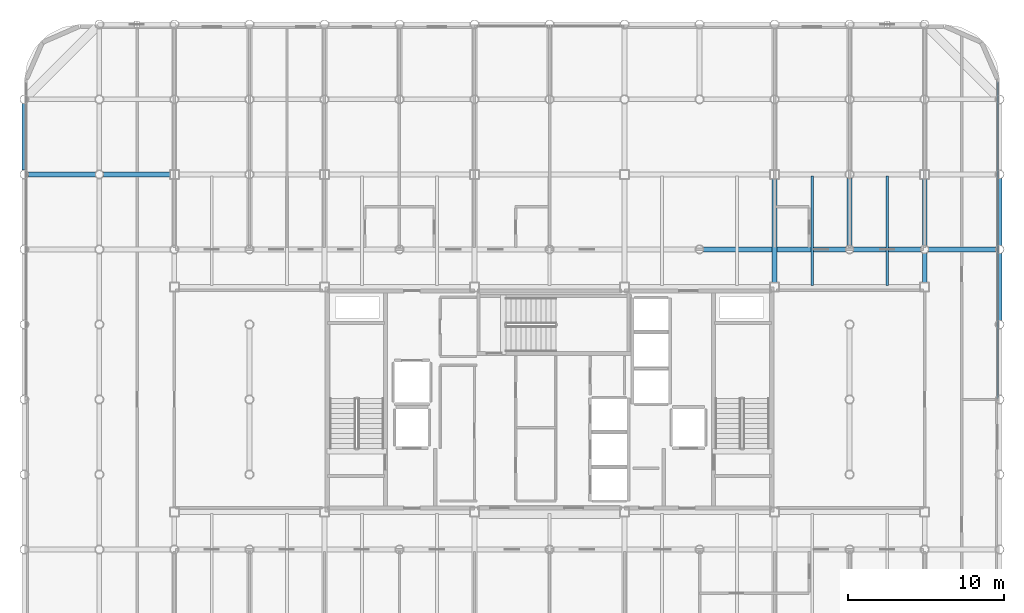
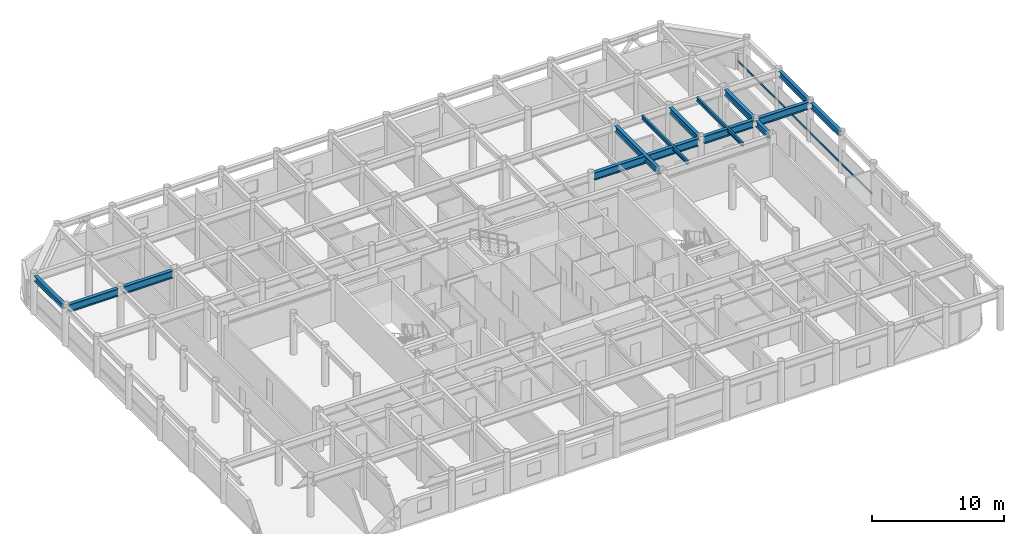
# One storey, part 11 of 22: 14 beams, 1 member, 1 element without a shape of its own.
"""IFC4 building model written with IfcOpenShell, lengths in metres."""

from ifc_helpers import new_model, si_unit, direction, frame, origin, origin_2d, place, context, subcontext, project, spatial, hollow_rectangle, i_section, extrude, material, layer, layer_set, material_profile, profile_set, type_object, element, aggregate, save


model = new_model("IFC4")

# Units and contexts
model_context = context("Model", 3, precision=1e-05, world=origin(), true_north=direction((0.0, 1.0)))
body_context = subcontext(model_context, "Body", "Model", "MODEL_VIEW")
ifc_project = project(units=[si_unit("LENGTHUNIT", "METRE"), si_unit("AREAUNIT", "SQUARE_METRE"), si_unit("VOLUMEUNIT", "CUBIC_METRE"), si_unit("PLANEANGLEUNIT", "RADIAN"), si_unit("MASSUNIT", "GRAM", prefix="KILO")], contexts=[model_context])

# Site, building, storey
site_placement = place(None, origin())
site = spatial("IfcSite", under=ifc_project, at=site_placement, CompositionType="ELEMENT")
building_placement = place(site_placement, origin())
building = spatial("IfcBuilding", under=site, at=building_placement, Name="Kallvorn Hotel Tower", CompositionType="ELEMENT")
storey_placement = place(building_placement, frame((0.0, 0.0, 253.10009765625)))
storey = spatial("IfcBuildingStorey", under=building, at=storey_placement, Name="L63", CompositionType="ELEMENT", Elevation=253.10009765625)

# Beams
ifc_material_1 = material(Name="Structural steel S355JR", Category="steel")
ifc_material_profile_1 = material_profile(ifc_material_1, i_section(OverallWidth=0.300048828125, OverallDepth=0.5, WebThickness=0.014404296875, FlangeThickness=0.028076171875, at=origin_2d()), Name="HE 500 B")
ifc_profile_set_1 = profile_set([ifc_material_profile_1], Name="Structural steel S355JR")
beam_type_1 = type_object("IfcBeamType", Name="BM_HE500B", PredefinedType="SPANDREL", material=ifc_profile_set_1)
beam_1_placement = place(storey_placement, frame((-33.60009765625, 14.66943359375, 3.419921875), z_axis=(0.0, 1.0, 0.0), x_axis=(-1.0, 0.0, 0.0)))
element("IfcBeam", 1, at=beam_1_placement, inside=storey, type_object=beam_type_1, Name="L64 Perimeter Spandrel 180", PredefinedType="SPANDREL", context=body_context, shape_type="SweptSolid", body=[
    extrude(i_section(OverallWidth=0.300048828125, OverallDepth=0.5, WebThickness=0.014404296875, FlangeThickness=0.028076171875, at=origin_2d()), origin(), (0.0, 0.0, 1.0), 4.260986328125),
])
ifc_material_2 = material(Name="Structural steel S355JR", Category="steel")
ifc_material_profile_2 = material_profile(ifc_material_2, i_section(OverallWidth=0.300048828125, OverallDepth=0.550048828125, WebThickness=0.014892578125, FlangeThickness=0.029052734375, at=origin_2d()), Name="HE 550 B")
ifc_profile_set_2 = profile_set([ifc_material_profile_2], Name="Structural steel S355JR")
beam_type_2 = type_object("IfcBeamType", Name="BM_HE550B", PredefinedType="SPANDREL", material=ifc_profile_set_2)
beam_2_placement = place(storey_placement, frame((14.39990234375, 7.47509765625, 3.39501953125), z_axis=(0.0, 1.0, 0.0), x_axis=(-1.0, 0.0, 0.0)))
element("IfcBeam", 2, at=beam_2_placement, inside=storey, type_object=beam_type_2, Name="L64 Primary Y-Girder 124", PredefinedType="SPANDREL", context=body_context, shape_type="SweptSolid", body=[
    extrude(i_section(OverallWidth=0.300048828125, OverallDepth=0.550048828125, WebThickness=0.014892578125, FlangeThickness=0.029052734375, at=origin_2d()), origin(), (0.0, 0.0, 1.0), 6.64990234375),
])
beam_3_placement = place(storey_placement, frame((19.199951171875, 9.8544921875, 3.39501953125), z_axis=(0.0, 1.0, 0.0), x_axis=(-1.0, 0.0, 0.0)))
element("IfcBeam", 3, at=beam_3_placement, inside=storey, type_object=beam_type_2, Name="L64 Primary Y-Girder 133", PredefinedType="SPANDREL", context=body_context, shape_type="SweptSolid", body=[
    extrude(i_section(OverallWidth=0.300048828125, OverallDepth=0.550048828125, WebThickness=0.014892578125, FlangeThickness=0.029052734375, at=origin_2d()), origin(), (0.0, 0.0, 1.0), 4.291015625),
])
beam_4_placement = place(storey_placement, frame((24.0, 7.47509765625, 3.39501953125), z_axis=(0.0, 1.0, 0.0), x_axis=(-1.0, 0.0, 0.0)))
element("IfcBeam", 4, at=beam_4_placement, inside=storey, type_object=beam_type_2, Name="L64 Primary Y-Girder 139", PredefinedType="SPANDREL", context=body_context, shape_type="SweptSolid", body=[
    extrude(i_section(OverallWidth=0.300048828125, OverallDepth=0.550048828125, WebThickness=0.014892578125, FlangeThickness=0.029052734375, at=origin_2d()), origin(), (0.0, 0.0, 1.0), 1.870361328125),
])
beam_5_placement = place(storey_placement, frame((24.0, 9.8544921875, 3.39501953125), z_axis=(0.0, 1.0, 0.0), x_axis=(-1.0, 0.0, 0.0)))
element("IfcBeam", 5, at=beam_5_placement, inside=storey, type_object=beam_type_2, Name="L64 Primary Y-Girder 140", PredefinedType="SPANDREL", context=body_context, shape_type="SweptSolid", body=[
    extrude(i_section(OverallWidth=0.300048828125, OverallDepth=0.550048828125, WebThickness=0.014892578125, FlangeThickness=0.029052734375, at=origin_2d()), origin(), (0.0, 0.0, 1.0), 4.2705078125),
])
for number, where, z_axis, x_axis, name in (
    (6, (28.800048828125, 5.054443359375, 3.39501953125), (0.0, 1.0, 0.0), (-1.0, 0.0, 0.0), "L64 Primary Y-Girder 148"),
    (7, (28.800048828125, 9.8544921875, 3.39501953125), (0.0, 1.0, 0.0), (-1.0, 0.0, 0.0), "L64 Primary Y-Girder 149"),
):
    element("IfcBeam", number, at=place(storey_placement, frame(where, z_axis=z_axis, x_axis=x_axis)), inside=storey, type_object=beam_type_2, Name=name, PredefinedType="SPANDREL", context=body_context, shape_type="SweptSolid", body=[
        extrude(i_section(OverallWidth=0.300048828125, OverallDepth=0.550048828125, WebThickness=0.014892578125, FlangeThickness=0.029052734375, at=origin_2d()), origin(), (0.0, 0.0, 1.0), 4.291015625),
    ])
ifc_material_3 = material(Name="Structural steel S355JR", Category="steel")
ifc_material_profile_3 = material_profile(ifc_material_3, i_section(OverallWidth=0.300048828125, OverallDepth=0.699951171875, WebThickness=0.01708984375, FlangeThickness=0.031982421875, at=origin_2d()), Name="HE 700 B")
ifc_profile_set_3 = profile_set([ifc_material_profile_3], Name="Structural steel S355JR")
beam_type_3 = type_object("IfcBeamType", Name="BM_HE700B", PredefinedType="BEAM", material=ifc_profile_set_3)
beam_6_placement = place(storey_placement, frame((9.8544921875, 9.60009765625, 3.31982421875), z_axis=(1.0, 0.0, 0.0), x_axis=(0.0, 1.0, 0.0)))
element("IfcBeam", 8, at=beam_6_placement, inside=storey, type_object=beam_type_3, Name="L64 Primary X-Girder 47", PredefinedType="BEAM", context=body_context, shape_type="SweptSolid", body=[
    extrude(i_section(OverallWidth=0.300048828125, OverallDepth=0.699951171875, WebThickness=0.01708984375, FlangeThickness=0.031982421875, at=origin_2d()), origin(), (0.0, 0.0, 1.0), 9.091064453125),
])
for number, where, z_axis, x_axis, name in (
    (9, (19.45458984375, 9.60009765625, 3.31982421875), (1.0, 0.0, 0.0), (0.0, 1.0, 0.0), "L64 Primary X-Girder 48"),
    (10, (24.25439453125, 9.60009765625, 3.31982421875), (1.0, 0.0, 0.0), (0.0, 1.0, 0.0), "L64 Primary X-Girder 49"),
    (11, (-33.345458984375, 14.39990234375, 3.31982421875), (1.0, 0.0, 0.0), (0.0, 1.0, 0.0), "L64 Primary X-Girder 50"),
):
    element("IfcBeam", number, at=place(storey_placement, frame(where, z_axis=z_axis, x_axis=x_axis)), inside=storey, type_object=beam_type_3, Name=name, PredefinedType="BEAM", context=body_context, shape_type="SweptSolid", body=[
        extrude(i_section(OverallWidth=0.300048828125, OverallDepth=0.699951171875, WebThickness=0.01708984375, FlangeThickness=0.031982421875, at=origin_2d()), origin(), (0.0, 0.0, 1.0), 4.291015625),
    ])
beam_7_placement = place(storey_placement, frame((-28.54541015625, 14.39990234375, 3.31982421875), z_axis=(1.0, 0.0, 0.0), x_axis=(0.0, 1.0, 0.0)))
element("IfcBeam", 12, at=beam_7_placement, inside=storey, type_object=beam_type_3, Name="L64 Primary X-Girder 51", PredefinedType="BEAM", context=body_context, shape_type="SweptSolid", body=[
    extrude(i_section(OverallWidth=0.300048828125, OverallDepth=0.699951171875, WebThickness=0.01708984375, FlangeThickness=0.031982421875, at=origin_2d()), origin(), (0.0, 0.0, 1.0), 4.2705078125),
])
ifc_material_4 = material(Name="Structural steel S355JR", Category="steel")
ifc_material_profile_4 = material_profile(ifc_material_4, i_section(OverallWidth=0.169921875, OverallDepth=0.360107421875, WebThickness=0.008056640625, FlangeThickness=0.0126953125, at=origin_2d()), Name="IPE 360")
ifc_profile_set_4 = profile_set([ifc_material_profile_4], Name="Structural steel S355JR")
beam_type_4 = type_object("IfcBeamType", Name="BM_IPE360", PredefinedType="JOIST", material=ifc_profile_set_4)
for number, where, z_axis, x_axis, name in (
    (13, (16.800048828125, 7.300048828125, 3.489990234375), (0.0, 1.0, 0.0), (-1.0, 0.0, 0.0), "L64 Secondary Composite Joist 207"),
    (14, (21.60009765625, 7.300048828125, 3.489990234375), (0.0, 1.0, 0.0), (-1.0, 0.0, 0.0), "L64 Secondary Composite Joist 209"),
):
    element("IfcBeam", number, at=place(storey_placement, frame(where, z_axis=z_axis, x_axis=x_axis)), inside=storey, type_object=beam_type_4, Name=name, PredefinedType="JOIST", context=body_context, shape_type="SweptSolid", body=[
        extrude(i_section(OverallWidth=0.169921875, OverallDepth=0.360107421875, WebThickness=0.008056640625, FlangeThickness=0.0126953125, at=origin_2d()), origin(), (0.0, 0.0, 1.0), 7.0),
    ])

# Curtain wall, member
ifc_material_5 = material(Name="Thermally broken black-anodised aluminium AA 6063-T6", Category="aluminium")
ifc_layer = layer(ifc_material_5, 0.22998046875)
ifc_layer_set = layer_set([ifc_layer], Name="CW_SYS_5_HOTEL_HIGH")
curtain_wall_type = type_object("IfcCurtainWallType", Name="CW_SYS_5_HOTEL_HIGH", PredefinedType="USERDEFINED", material=ifc_layer_set)
curtain_wall_placement = place(storey_placement, origin())
curtain_wall = element("IfcCurtainWall", 15, at=curtain_wall_placement, inside=storey, type_object=curtain_wall_type, Name="L63 Dark-Glass Curtain Wall CW-L63-EN", ObjectType="UNITISED CURTAIN WALL", PredefinedType="USERDEFINED")
ifc_material_6 = material(Name="Thermally broken black-anodised aluminium AA 6063-T6", Category="aluminium")
ifc_material_profile_5 = material_profile(ifc_material_6, hollow_rectangle(XDim=0.070068359375, YDim=0.179931640625, WallThickness=0.00390625, at=origin_2d()), Name="TRN 180x70")
ifc_profile_set_5 = profile_set([ifc_material_profile_5], Name="Thermally broken black-anodised aluminium AA 6063-T6")
member_type = type_object("IfcMemberType", Name="CW_TRANSOM_180x70", PredefinedType="USERDEFINED", material=ifc_profile_set_5)
member_placement = place(storey_placement, frame((28.679931640625, 0.06005859375, 0.849853515625), z_axis=(0.0, 1.0, 0.0), x_axis=(-1.0, 0.0, 0.0)))
member = element("IfcMember", 16, at=member_placement, type_object=member_type, Name="CW-L63-EN Transom 00M", ObjectType="TRANSOM", PredefinedType="USERDEFINED", context=body_context, shape_type="SweptSolid", body=[
    extrude(hollow_rectangle(XDim=0.070068359375, YDim=0.179931640625, WallThickness=0.00390625, at=origin_2d()), origin(), (0.0, 0.0, 1.0), 20.300048828125),
])
aggregate(curtain_wall, [member])

save(model, "model.ifc")
